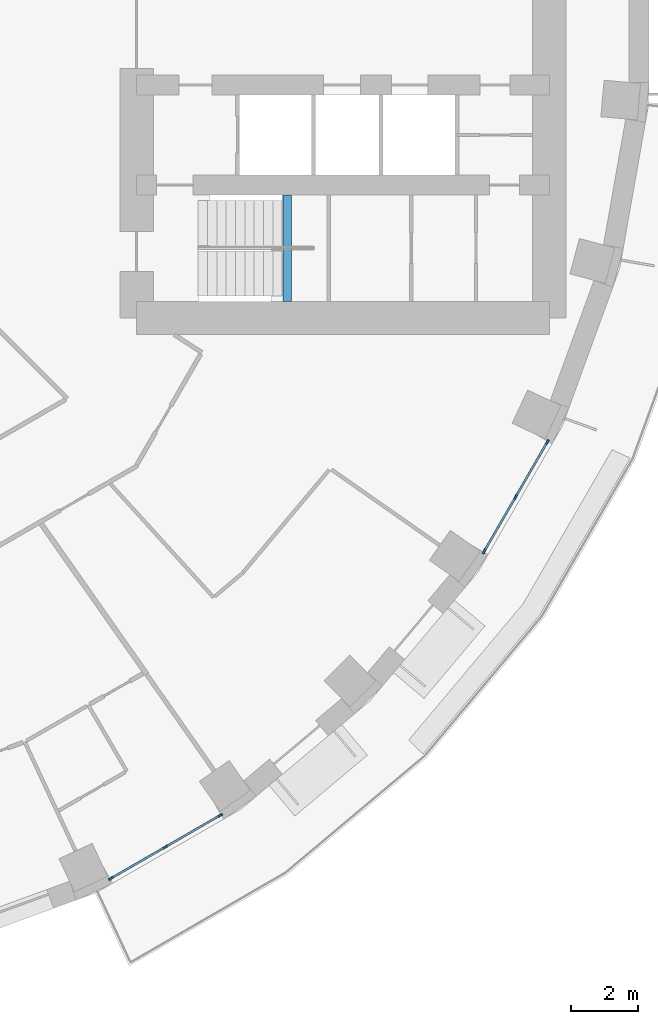
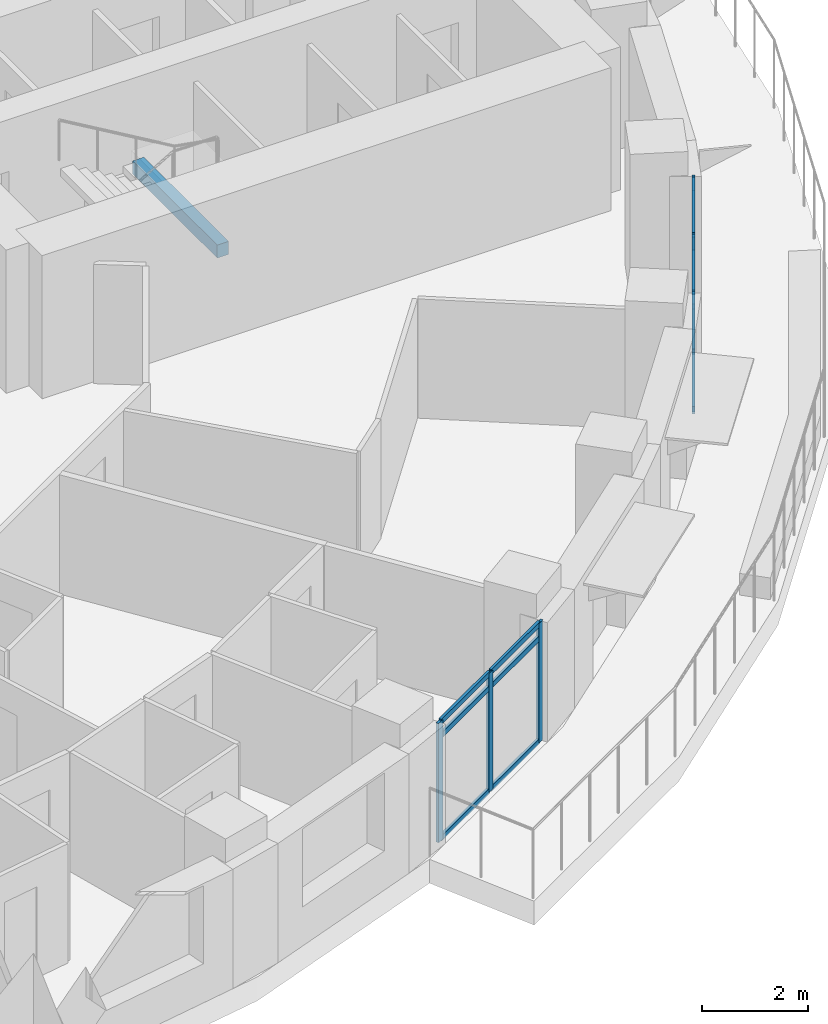
# One storey, part 2 of 15: 18 members, 1 beam, 2 elements without a shape of their own.
"""IFC4 building model written with IfcOpenShell, lengths in metres."""

from ifc_helpers import new_model, si_unit, direction, frame, origin, origin_2d, place, context, subcontext, project, spatial, rectangle, extrude, material, layer, layer_set, material_profile, profile_set, type_object, element, aggregate, save


model = new_model("IFC4")

# Units and contexts
model_context = context("Model", 3, precision=1e-05, world=origin(), true_north=direction((0.0, 1.0)))
body_context = subcontext(model_context, "Body", "Model", "MODEL_VIEW")
ifc_project = project(units=[si_unit("LENGTHUNIT", "METRE"), si_unit("AREAUNIT", "SQUARE_METRE"), si_unit("VOLUMEUNIT", "CUBIC_METRE"), si_unit("PLANEANGLEUNIT", "RADIAN"), si_unit("MASSUNIT", "GRAM", prefix="KILO")], contexts=[model_context])

# Site, building, storey
site_placement = place(None, origin())
site = spatial("IfcSite", under=ifc_project, at=site_placement, CompositionType="ELEMENT")
building_placement = place(site_placement, origin())
building = spatial("IfcBuilding", under=site, at=building_placement, Name="Saqina Gate Tower", CompositionType="ELEMENT")
storey_placement = place(building_placement, frame((0.0, 0.0, 42.800048828125)))
storey = spatial("IfcBuildingStorey", under=building, at=storey_placement, Name="L11", CompositionType="ELEMENT", Elevation=42.800048828125)

# Curtain wall, members
ifc_material_1 = material(Name="Aluminium glazing", Category="aluminium")
ifc_layer = layer(ifc_material_1, 0.159912109375)
ifc_layer_set = layer_set([ifc_layer], Name="CWT-4")
curtain_wall_type = type_object("IfcCurtainWallType", Name="CWT-4", PredefinedType="NOTDEFINED", material=ifc_layer_set)
curtain_wall_1_placement = place(storey_placement, origin())
curtain_wall_1 = element("IfcCurtainWall", 1, at=curtain_wall_1_placement, inside=storey, type_object=curtain_wall_type, Name="Terrace lounge glazing facet 30", PredefinedType="NOTDEFINED")
ifc_material_2 = material(Name="Aluminium", Category="aluminium")
ifc_material_profile_1 = material_profile(ifc_material_2, rectangle(XDim=0.06005859375, YDim=0.159912109375, at=origin_2d()), Name="Aluminium 60x160")
ifc_profile_set_1 = profile_set([ifc_material_profile_1], Name="Aluminium")
member_type_1 = type_object("IfcMemberType", Name="CWT-4M", PredefinedType="MULLION", material=ifc_profile_set_1)
member_1_placement = place(storey_placement, frame((12.73046875, -25.835693359375, 0.0), z_axis=(0.0, 0.0, 1.0), x_axis=(-0.499995552346, 0.866027971624, 0.0)))
member_1 = element("IfcMember", 2, at=member_1_placement, type_object=member_type_1, Name="CW4-30 mullion 1", PredefinedType="MULLION", context=body_context, shape_type="SweptSolid", body=[
    extrude(rectangle(XDim=0.06005859375, YDim=0.159912109375, at=origin_2d()), origin(), (0.0, 0.0, 1.0), 2.75),
])
member_2_placement = place(storey_placement, frame((14.369873046875, -24.88916015625, 0.0), z_axis=(0.0, 0.0, 1.0), x_axis=(-0.499995552346, 0.866027971624, 0.0)))
member_2 = element("IfcMember", 3, at=member_2_placement, type_object=member_type_1, Name="CW4-30 mullion 2", PredefinedType="MULLION", context=body_context, shape_type="SweptSolid", body=[
    extrude(rectangle(XDim=0.06005859375, YDim=0.159912109375, at=origin_2d()), origin(), (0.0, 0.0, 1.0), 2.75),
])
member_3_placement = place(storey_placement, frame((16.009033203125, -23.94287109375, 0.0), z_axis=(0.0, 0.0, 1.0), x_axis=(-0.499995552346, 0.866027971624, 0.0)))
member_3 = element("IfcMember", 4, at=member_3_placement, type_object=member_type_1, Name="CW4-30 mullion 3", PredefinedType="MULLION", context=body_context, shape_type="SweptSolid", body=[
    extrude(rectangle(XDim=0.06005859375, YDim=0.159912109375, at=origin_2d()), origin(), (0.0, 0.0, 1.0), 2.75),
])

curtain_wall_2_placement = place(storey_placement, origin())
curtain_wall_2 = element("IfcCurtainWall", 5, at=curtain_wall_2_placement, inside=storey, type_object=curtain_wall_type, Name="Terrace lounge glazing facet 33", PredefinedType="NOTDEFINED")
member_4_placement = place(storey_placement, frame((23.94287109375, -16.009033203125, 0.0), z_axis=(0.0, 0.0, 1.0), x_axis=(-0.866027971624, 0.499995552346, 0.0)))
member_4 = element("IfcMember", 6, at=member_4_placement, type_object=member_type_1, Name="CW4-33 mullion 1", PredefinedType="MULLION", context=body_context, shape_type="SweptSolid", body=[
    extrude(rectangle(XDim=0.06005859375, YDim=0.159912109375, at=origin_2d()), origin(), (0.0, 0.0, 1.0), 2.75),
])
member_5_placement = place(storey_placement, frame((24.88916015625, -14.369873046875, 0.0), z_axis=(0.0, 0.0, 1.0), x_axis=(-0.866027971624, 0.499995552346, 0.0)))
member_5 = element("IfcMember", 7, at=member_5_placement, type_object=member_type_1, Name="CW4-33 mullion 2", PredefinedType="MULLION", context=body_context, shape_type="SweptSolid", body=[
    extrude(rectangle(XDim=0.06005859375, YDim=0.159912109375, at=origin_2d()), origin(), (0.0, 0.0, 1.0), 2.75),
])
member_6_placement = place(storey_placement, frame((25.835693359375, -12.73046875, 0.0), z_axis=(0.0, 0.0, 1.0), x_axis=(-0.866027971624, 0.499995552346, 0.0)))
member_6 = element("IfcMember", 8, at=member_6_placement, type_object=member_type_1, Name="CW4-33 mullion 3", PredefinedType="MULLION", context=body_context, shape_type="SweptSolid", body=[
    extrude(rectangle(XDim=0.06005859375, YDim=0.159912109375, at=origin_2d()), origin(), (0.0, 0.0, 1.0), 2.75),
])

# Member
ifc_material_3 = material(Name="Aluminium", Category="aluminium")
ifc_material_profile_2 = material_profile(ifc_material_3, rectangle(XDim=0.06005859375, YDim=0.1201171875, at=origin_2d()), Name="Aluminium 60x120")
ifc_profile_set_2 = profile_set([ifc_material_profile_2], Name="Aluminium")
member_type_2 = type_object("IfcMemberType", Name="CWT-4T", PredefinedType="USERDEFINED", material=ifc_profile_set_2)
member_7_placement = place(storey_placement, frame((12.75634765625, -25.82080078125, 0.030029296875), z_axis=(0.8660214502, 0.500006847747, 0.0), x_axis=(-0.500006847747, 0.8660214502, 0.0)))
member_7 = element("IfcMember", 9, at=member_7_placement, type_object=member_type_2, Name="CW4-30 transom 1.1", ObjectType="TRANSOM", PredefinedType="USERDEFINED", context=body_context, shape_type="SweptSolid", body=[
    extrude(rectangle(XDim=0.06005859375, YDim=0.1201171875, at=origin_2d()), origin(), (0.0, 0.0, 1.0), 1.8330078125),
])

member_8_placement = place(storey_placement, frame((12.75634765625, -25.82080078125, 2.39990234375), z_axis=(0.8660214502, 0.500006847747, 0.0), x_axis=(-0.500006847747, 0.8660214502, 0.0)))
member_8 = element("IfcMember", 10, at=member_8_placement, type_object=member_type_2, Name="CW4-30 transom 1.2", ObjectType="TRANSOM", PredefinedType="USERDEFINED", context=body_context, shape_type="SweptSolid", body=[
    extrude(rectangle(XDim=0.06005859375, YDim=0.1201171875, at=origin_2d()), origin(), (0.0, 0.0, 1.0), 1.8330078125),
])

member_9_placement = place(storey_placement, frame((12.75634765625, -25.82080078125, 2.719970703125), z_axis=(0.8660214502, 0.500006847747, 0.0), x_axis=(-0.500006847747, 0.8660214502, 0.0)))
member_9 = element("IfcMember", 11, at=member_9_placement, type_object=member_type_2, Name="CW4-30 transom 1.3", ObjectType="TRANSOM", PredefinedType="USERDEFINED", context=body_context, shape_type="SweptSolid", body=[
    extrude(rectangle(XDim=0.06005859375, YDim=0.1201171875, at=origin_2d()), origin(), (0.0, 0.0, 1.0), 1.8330078125),
])

member_10_placement = place(storey_placement, frame((14.395751953125, -24.874267578125, 0.030029296875), z_axis=(0.8660214502, 0.500006847747, 0.0), x_axis=(-0.500006847747, 0.8660214502, 0.0)))
member_10 = element("IfcMember", 12, at=member_10_placement, type_object=member_type_2, Name="CW4-30 transom 2.1", ObjectType="TRANSOM", PredefinedType="USERDEFINED", context=body_context, shape_type="SweptSolid", body=[
    extrude(rectangle(XDim=0.06005859375, YDim=0.1201171875, at=origin_2d()), origin(), (0.0, 0.0, 1.0), 1.8330078125),
])

member_11_placement = place(storey_placement, frame((14.395751953125, -24.874267578125, 2.39990234375), z_axis=(0.8660214502, 0.500006847747, 0.0), x_axis=(-0.500006847747, 0.8660214502, 0.0)))
member_11 = element("IfcMember", 13, at=member_11_placement, type_object=member_type_2, Name="CW4-30 transom 2.2", ObjectType="TRANSOM", PredefinedType="USERDEFINED", context=body_context, shape_type="SweptSolid", body=[
    extrude(rectangle(XDim=0.06005859375, YDim=0.1201171875, at=origin_2d()), origin(), (0.0, 0.0, 1.0), 1.8330078125),
])

member_12_placement = place(storey_placement, frame((14.395751953125, -24.874267578125, 2.719970703125), z_axis=(0.8660214502, 0.500006847747, 0.0), x_axis=(-0.500006847747, 0.8660214502, 0.0)))
member_12 = element("IfcMember", 14, at=member_12_placement, type_object=member_type_2, Name="CW4-30 transom 2.3", ObjectType="TRANSOM", PredefinedType="USERDEFINED", context=body_context, shape_type="SweptSolid", body=[
    extrude(rectangle(XDim=0.06005859375, YDim=0.1201171875, at=origin_2d()), origin(), (0.0, 0.0, 1.0), 1.8330078125),
])

aggregate(curtain_wall_1, [member_1, member_2, member_3, member_7, member_8, member_9, member_10, member_11, member_12])

member_13_placement = place(storey_placement, frame((23.957763671875, -15.983154296875, 0.030029296875), z_axis=(0.500006847747, 0.8660214502, 0.0), x_axis=(-0.8660214502, 0.500006847747, 0.0)))
member_13 = element("IfcMember", 15, at=member_13_placement, type_object=member_type_2, Name="CW4-33 transom 1.1", ObjectType="TRANSOM", PredefinedType="USERDEFINED", context=body_context, shape_type="SweptSolid", body=[
    extrude(rectangle(XDim=0.06005859375, YDim=0.1201171875, at=origin_2d()), origin(), (0.0, 0.0, 1.0), 1.8330078125),
])

member_14_placement = place(storey_placement, frame((23.957763671875, -15.983154296875, 2.39990234375), z_axis=(0.500006847747, 0.8660214502, 0.0), x_axis=(-0.8660214502, 0.500006847747, 0.0)))
member_14 = element("IfcMember", 16, at=member_14_placement, type_object=member_type_2, Name="CW4-33 transom 1.2", ObjectType="TRANSOM", PredefinedType="USERDEFINED", context=body_context, shape_type="SweptSolid", body=[
    extrude(rectangle(XDim=0.06005859375, YDim=0.1201171875, at=origin_2d()), origin(), (0.0, 0.0, 1.0), 1.8330078125),
])

member_15_placement = place(storey_placement, frame((23.957763671875, -15.983154296875, 2.719970703125), z_axis=(0.500006847747, 0.8660214502, 0.0), x_axis=(-0.8660214502, 0.500006847747, 0.0)))
member_15 = element("IfcMember", 17, at=member_15_placement, type_object=member_type_2, Name="CW4-33 transom 1.3", ObjectType="TRANSOM", PredefinedType="USERDEFINED", context=body_context, shape_type="SweptSolid", body=[
    extrude(rectangle(XDim=0.06005859375, YDim=0.1201171875, at=origin_2d()), origin(), (0.0, 0.0, 1.0), 1.8330078125),
])

member_16_placement = place(storey_placement, frame((24.904296875, -14.34375, 0.030029296875), z_axis=(0.500006847747, 0.8660214502, 0.0), x_axis=(-0.8660214502, 0.500006847747, 0.0)))
member_16 = element("IfcMember", 18, at=member_16_placement, type_object=member_type_2, Name="CW4-33 transom 2.1", ObjectType="TRANSOM", PredefinedType="USERDEFINED", context=body_context, shape_type="SweptSolid", body=[
    extrude(rectangle(XDim=0.06005859375, YDim=0.1201171875, at=origin_2d()), origin(), (0.0, 0.0, 1.0), 1.8330078125),
])

member_17_placement = place(storey_placement, frame((24.904296875, -14.34375, 2.39990234375), z_axis=(0.500006847747, 0.8660214502, 0.0), x_axis=(-0.8660214502, 0.500006847747, 0.0)))
member_17 = element("IfcMember", 19, at=member_17_placement, type_object=member_type_2, Name="CW4-33 transom 2.2", ObjectType="TRANSOM", PredefinedType="USERDEFINED", context=body_context, shape_type="SweptSolid", body=[
    extrude(rectangle(XDim=0.06005859375, YDim=0.1201171875, at=origin_2d()), origin(), (0.0, 0.0, 1.0), 1.8330078125),
])

member_18_placement = place(storey_placement, frame((24.904296875, -14.34375, 2.719970703125), z_axis=(0.500006847747, 0.8660214502, 0.0), x_axis=(-0.8660214502, 0.500006847747, 0.0)))
member_18 = element("IfcMember", 20, at=member_18_placement, type_object=member_type_2, Name="CW4-33 transom 2.3", ObjectType="TRANSOM", PredefinedType="USERDEFINED", context=body_context, shape_type="SweptSolid", body=[
    extrude(rectangle(XDim=0.06005859375, YDim=0.1201171875, at=origin_2d()), origin(), (0.0, 0.0, 1.0), 1.8330078125),
])

aggregate(curtain_wall_2, [member_4, member_5, member_6, member_13, member_14, member_15, member_16, member_17, member_18])

# Beam
ifc_material_4 = material(Name="Concrete C40/50", Category="concrete")
ifc_material_profile_3 = material_profile(ifc_material_4, rectangle(XDim=0.25, YDim=0.300048828125, at=origin_2d()), Name="STAIR LANDING BEAM")
ifc_profile_set_3 = profile_set([ifc_material_profile_3], Name="Concrete C40/50")
beam_type = type_object("IfcBeamType", Name="STAIR LANDING BEAM", PredefinedType="BEAM", material=ifc_profile_set_3)
beam_placement = place(storey_placement, frame((18.02001953125, -8.5, 1.25), z_axis=(0.0, 1.0, 0.0), x_axis=(-1.0, 0.0, 0.0)))
element("IfcBeam", 21, at=beam_placement, inside=storey, type_object=beam_type, Name="EXIT STAIR 2 LANDING BEAM", PredefinedType="BEAM", context=body_context, shape_type="SweptSolid", body=[
    extrude(rectangle(XDim=0.25, YDim=0.300048828125, at=origin_2d()), origin(), (0.0, 0.0, 1.0), 3.199951171875),
])

save(model, "model.ifc")
